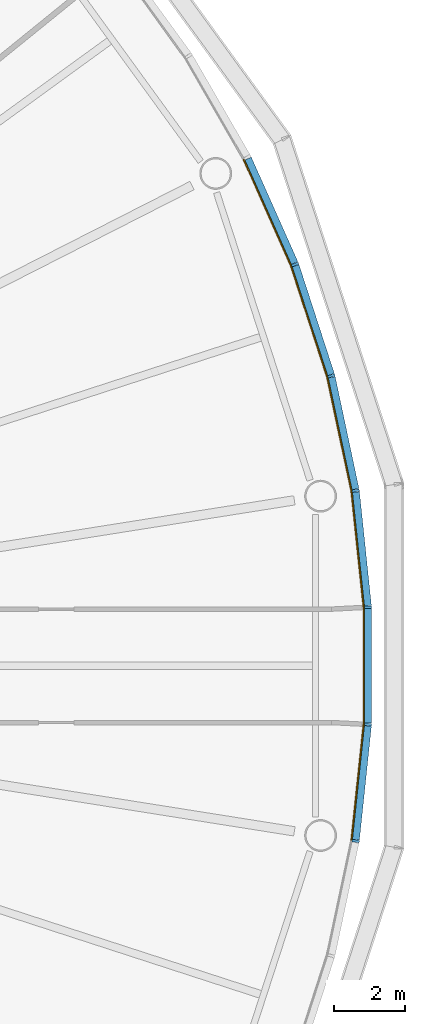
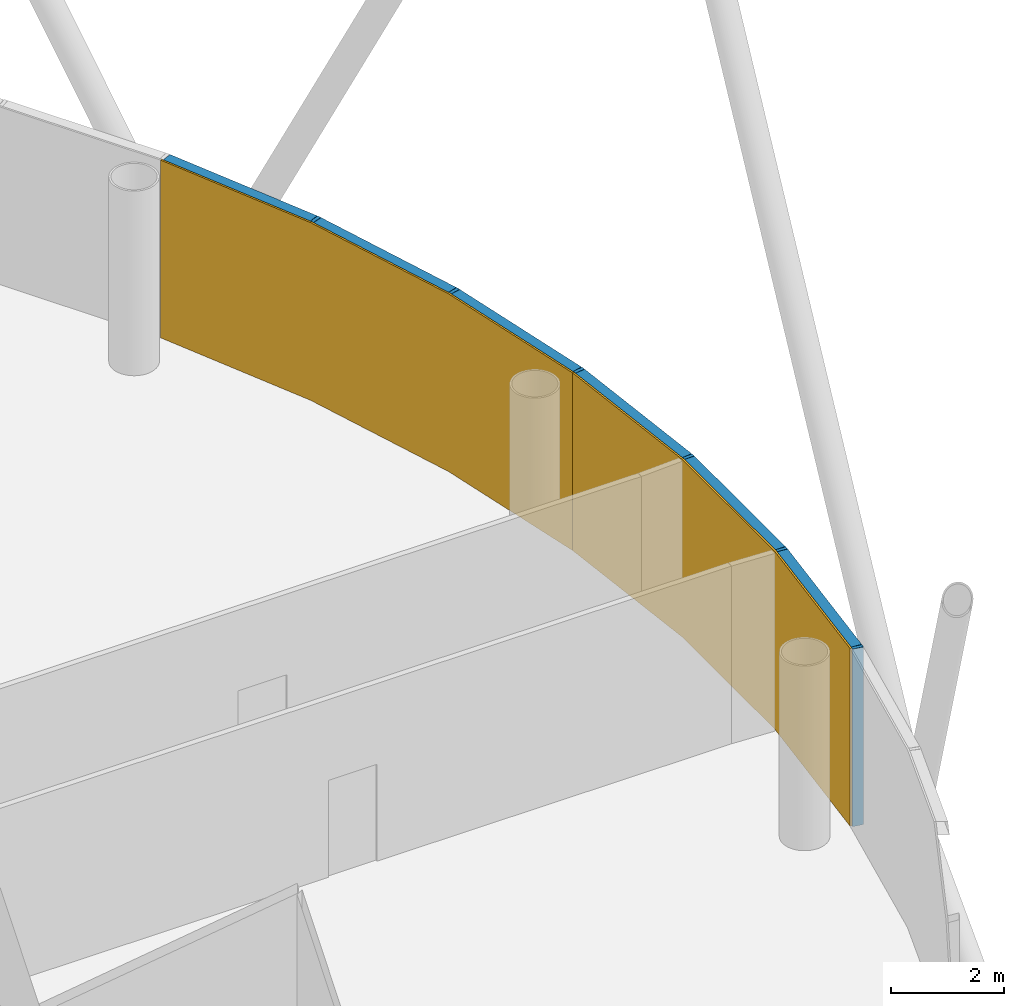
# One storey, part 11 of 13: 12 members, 2 curtain walls.
"""IFC4 building model written with IfcOpenShell, lengths in metres."""

from ifc_helpers import new_model, si_unit, direction, frame, origin, origin_2d, place, context, subcontext, project, spatial, polyline, rectangle, outline, extrude, material, layer, layer_set, material_profile, profile_set, type_object, element, aggregate, save


model = new_model("IFC4")

# Units and contexts
model_context = context("Model", 3, precision=1e-05, world=origin(), true_north=direction((0.0, 1.0)))
body_context = subcontext(model_context, "Body", "Model", "MODEL_VIEW")
ifc_project = project(units=[si_unit("LENGTHUNIT", "METRE"), si_unit("AREAUNIT", "SQUARE_METRE"), si_unit("VOLUMEUNIT", "CUBIC_METRE"), si_unit("PLANEANGLEUNIT", "RADIAN"), si_unit("MASSUNIT", "GRAM", prefix="KILO")], contexts=[model_context])

# Member
ifc_material_1 = material(Name="Anodised aluminium", Category="aluminium")
ifc_material_profile_1 = material_profile(ifc_material_1, rectangle(XDim=0.070068359375, YDim=0.205078125, at=origin_2d()), Name="Mullion 70 x 205 mm anodised aluminium")
ifc_profile_set_1 = profile_set([ifc_material_profile_1], Name="Anodised aluminium")
member_type_1 = type_object("IfcMemberType", Name="Mullion 70 x 205 mm anodised aluminium", PredefinedType="MULLION", material=ifc_profile_set_1)
site_placement = place(None, origin())
building_placement = place(site_placement, origin())
storey_placement = place(building_placement, frame((0.0, 0.0, 336.0)))
member_1_placement = place(storey_placement, frame((121.21337890625, 84.943603515625, 0.0), z_axis=(0.0, 0.0, 1.0), x_axis=(-0.15643446504, 0.987688340595, 0.0)))
member_1 = element("IfcMember", 1, at=member_1_placement, type_object=member_type_1, Name="MULLION L77-00", PredefinedType="MULLION", context=body_context, shape_type="SweptSolid", body=[
    extrude(rectangle(XDim=0.070068359375, YDim=0.205078125, at=origin_2d()), origin(), (0.0, 0.0, 1.0), 3.85009765625),
])

member_2_placement = place(storey_placement, frame((120.525634765625, 88.179443359375, 0.0), z_axis=(0.0, 0.0, 1.0), x_axis=(-0.258819045103, 0.965925826289, 0.0)))
member_2 = element("IfcMember", 2, at=member_2_placement, type_object=member_type_1, Name="MULLION L77-01", PredefinedType="MULLION", context=body_context, shape_type="SweptSolid", body=[
    extrude(rectangle(XDim=0.070068359375, YDim=0.205078125, at=origin_2d()), origin(), (0.0, 0.0, 1.0), 3.85009765625),
])

member_3_placement = place(storey_placement, frame((119.50341796875, 91.325439453125, 0.0), z_axis=(0.0, 0.0, 1.0), x_axis=(-0.358367949545, 0.933580426497, 0.0)))
member_3 = element("IfcMember", 3, at=member_3_placement, type_object=member_type_1, Name="MULLION L77-02", PredefinedType="MULLION", context=body_context, shape_type="SweptSolid", body=[
    extrude(rectangle(XDim=0.070068359375, YDim=0.205078125, at=origin_2d()), origin(), (0.0, 0.0, 1.0), 3.85009765625),
])

member_4_placement = place(storey_placement, frame((121.21337890625, 75.056396484375, 0.0), z_axis=(0.0, 0.0, 1.0), x_axis=(0.15643446504, 0.987688340595, 0.0)))
member_4 = element("IfcMember", 4, at=member_4_placement, type_object=member_type_1, Name="MULLION L77-57", PredefinedType="MULLION", context=body_context, shape_type="SweptSolid", body=[
    extrude(rectangle(XDim=0.070068359375, YDim=0.205078125, at=origin_2d()), origin(), (0.0, 0.0, 1.0), 3.85009765625),
])

member_5_placement = place(storey_placement, frame((121.55908203125, 78.345947265625, 0.0), z_axis=(0.0, 0.0, 1.0), x_axis=(0.052335956243, 0.998629534755, 0.0)))
member_5 = element("IfcMember", 5, at=member_5_placement, type_object=member_type_1, Name="MULLION L77-58", PredefinedType="MULLION", context=body_context, shape_type="SweptSolid", body=[
    extrude(rectangle(XDim=0.070068359375, YDim=0.205078125, at=origin_2d()), origin(), (0.0, 0.0, 1.0), 3.85009765625),
])

member_6_placement = place(storey_placement, frame((121.55908203125, 81.654052734375, 0.0), z_axis=(0.0, 0.0, 1.0), x_axis=(-0.052335956243, 0.998629534755, 0.0)))
member_6 = element("IfcMember", 6, at=member_6_placement, type_object=member_type_1, Name="MULLION L77-59", PredefinedType="MULLION", context=body_context, shape_type="SweptSolid", body=[
    extrude(rectangle(XDim=0.070068359375, YDim=0.205078125, at=origin_2d()), origin(), (0.0, 0.0, 1.0), 3.85009765625),
])

ifc_material_2 = material(Name="Anodised aluminium", Category="aluminium")
ifc_material_profile_2 = material_profile(ifc_material_2, rectangle(XDim=0.205078125, YDim=0.195068359375, at=origin_2d()), Name="Transom 195 x 205 mm anodised aluminium")
ifc_profile_set_2 = profile_set([ifc_material_profile_2], Name="Anodised aluminium")
member_type_2 = type_object("IfcMemberType", Name="Transom 195 x 205 mm anodised aluminium", PredefinedType="USERDEFINED", material=ifc_profile_set_2)
member_7_placement = place(storey_placement, frame((121.205078125, 84.983154296875, 3.75244140625), z_axis=(-0.207885898771, 0.978153082647, 0.0), x_axis=(-0.978153082647, -0.207885898771, 0.0)))
member_7 = element("IfcMember", 7, at=member_7_placement, type_object=member_type_2, Name="TRANSOM L77-00", ObjectType="TRANSOM", PredefinedType="USERDEFINED", context=body_context, shape_type="SweptSolid", body=[
    extrude(rectangle(XDim=0.205078125, YDim=0.195068359375, at=origin_2d()), origin(), (0.0, 0.0, 1.0), 3.227294921875),
])

member_8_placement = place(storey_placement, frame((120.513427734375, 88.2177734375, 3.75244140625), z_axis=(-0.309046726844, 0.951046855117, 0.0), x_axis=(-0.951046855117, -0.309046726844, 0.0)))
member_8 = element("IfcMember", 8, at=member_8_placement, type_object=member_type_2, Name="TRANSOM L77-01", ObjectType="TRANSOM", PredefinedType="USERDEFINED", context=body_context, shape_type="SweptSolid", body=[
    extrude(rectangle(XDim=0.205078125, YDim=0.195068359375, at=origin_2d()), origin(), (0.0, 0.0, 1.0), 3.22705078125),
])

member_9_placement = place(storey_placement, frame((119.4873046875, 91.3623046875, 3.75244140625), z_axis=(-0.406791170024, 0.913521178731, 0.0), x_axis=(-0.913521178731, -0.406791170024, 0.0)))
member_9 = element("IfcMember", 9, at=member_9_placement, type_object=member_type_2, Name="TRANSOM L77-02", ObjectType="TRANSOM", PredefinedType="USERDEFINED", context=body_context, shape_type="SweptSolid", body=[
    extrude(rectangle(XDim=0.205078125, YDim=0.195068359375, at=origin_2d()), origin(), (0.0, 0.0, 1.0), 3.22705078125),
])

member_10_placement = place(storey_placement, frame((121.2177734375, 75.096435546875, 3.75244140625), z_axis=(0.104550890115, 0.994519537956, 0.0), x_axis=(-0.994519537956, 0.104550890115, 0.0)))
member_10 = element("IfcMember", 10, at=member_10_placement, type_object=member_type_2, Name="TRANSOM L77-57", ObjectType="TRANSOM", PredefinedType="USERDEFINED", context=body_context, shape_type="SweptSolid", body=[
    extrude(rectangle(XDim=0.205078125, YDim=0.195068359375, at=origin_2d()), origin(), (0.0, 0.0, 1.0), 3.22705078125),
])

member_11_placement = place(storey_placement, frame((121.559326171875, 78.386474609375, 3.75244140625), z_axis=(0.0, 1.0, 0.0), x_axis=(-1.0, 0.0, 0.0)))
member_11 = element("IfcMember", 11, at=member_11_placement, type_object=member_type_2, Name="TRANSOM L77-58", ObjectType="TRANSOM", PredefinedType="USERDEFINED", context=body_context, shape_type="SweptSolid", body=[
    extrude(rectangle(XDim=0.205078125, YDim=0.195068359375, at=origin_2d()), origin(), (0.0, 0.0, 1.0), 3.22705078125),
])

member_12_placement = place(storey_placement, frame((121.55517578125, 81.694091796875, 3.75244140625), z_axis=(-0.104550890115, 0.994519537956, 0.0), x_axis=(-0.994519537956, -0.104550890115, 0.0)))
member_12 = element("IfcMember", 12, at=member_12_placement, type_object=member_type_2, Name="TRANSOM L77-59", ObjectType="TRANSOM", PredefinedType="USERDEFINED", context=body_context, shape_type="SweptSolid", body=[
    extrude(rectangle(XDim=0.205078125, YDim=0.195068359375, at=origin_2d()), origin(), (0.0, 0.0, 1.0), 3.22705078125),
])

# Site, building, storey
site = spatial("IfcSite", under=ifc_project, at=site_placement, CompositionType="ELEMENT")
building = spatial("IfcBuilding", under=site, at=building_placement, Name="Entoto Ring Tower", CompositionType="ELEMENT")
storey = spatial("IfcBuildingStorey", under=building, at=storey_placement, Name="L77", CompositionType="ELEMENT", Elevation=336.0)

# Curtain wall
ifc_material_3 = material(Name="Clear low-iron glass", Category="glass")
ifc_layer = layer(ifc_material_3, 0.035888671875)
ifc_layer_set = layer_set([ifc_layer], Name="Clear low-iron glass")
curtain_wall_type = type_object("IfcCurtainWallType", Name="Curtain wall system CW6 glazing 36 mm", PredefinedType="NOTDEFINED", material=ifc_layer_set)
curtain_wall_1_placement = place(storey_placement, origin())
curtain_wall_1 = element("IfcCurtainWall", 13, at=curtain_wall_1_placement, inside=storey, type_object=curtain_wall_type, Name="CW6 L77-01", PredefinedType="NOTDEFINED", context=body_context, shape_type="SweptSolid", body=[
    extrude(outline(polyline([(121.1123046875, 84.927734375), (120.4267578125, 88.15283203125), (119.40771484375, 91.28857421875), (118.066650390625, 94.30078125), (118.03466796875, 94.284423828125), (119.3740234375, 91.275634765625), (120.391845703125, 88.1435546875), (121.07666015625, 84.922119140625), (121.1123046875, 84.927734375)])), origin(), (0.0, 0.0, 1.0), 3.85009765625),
])

aggregate(curtain_wall_1, [member_1, member_2, member_3, member_7, member_8, member_9])

curtain_wall_2_placement = place(storey_placement, origin())
curtain_wall_2 = element("IfcCurtainWall", 14, at=curtain_wall_2_placement, inside=storey, type_object=curtain_wall_type, Name="CW6 L77-20", PredefinedType="NOTDEFINED", context=body_context, shape_type="SweptSolid", body=[
    extrude(outline(polyline([(121.1123046875, 75.072265625), (121.456787109375, 78.351318359375), (121.456787109375, 81.648681640625), (121.1123046875, 84.927734375), (121.07666015625, 84.922119140625), (121.4208984375, 81.646728515625), (121.4208984375, 78.353271484375), (121.07666015625, 75.077880859375), (121.1123046875, 75.072265625)])), origin(), (0.0, 0.0, 1.0), 3.85009765625),
])

aggregate(curtain_wall_2, [member_4, member_5, member_6, member_10, member_11, member_12])

save(model, "model.ifc")
